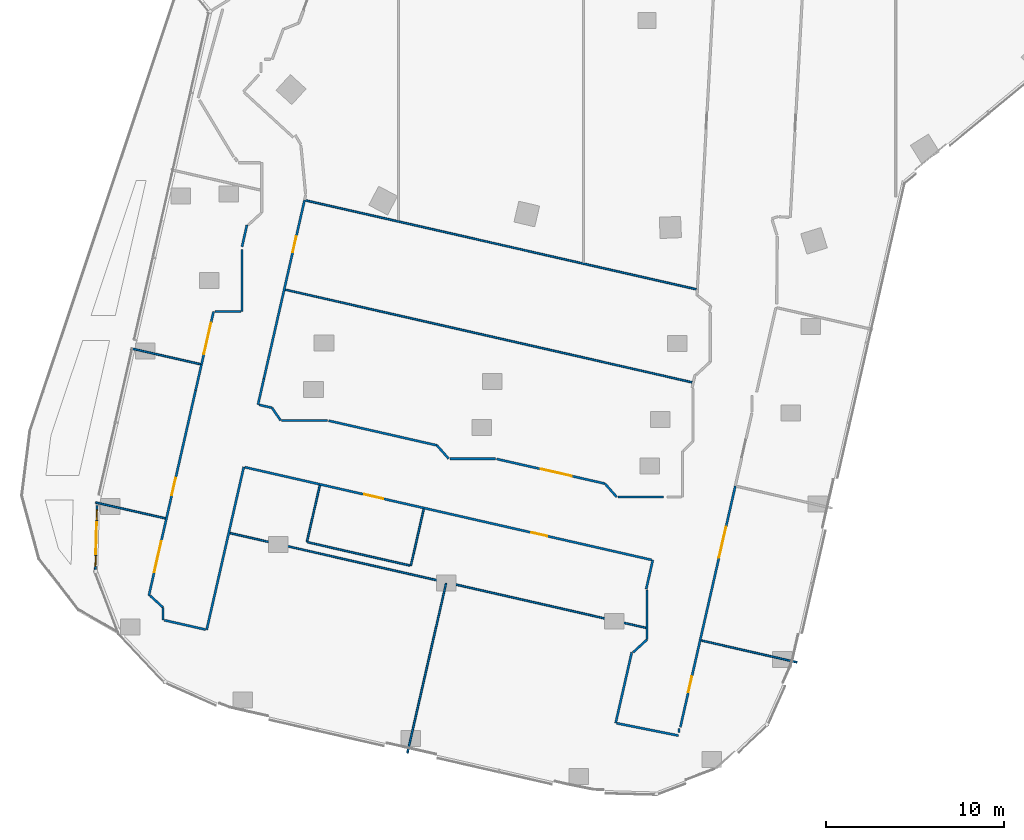
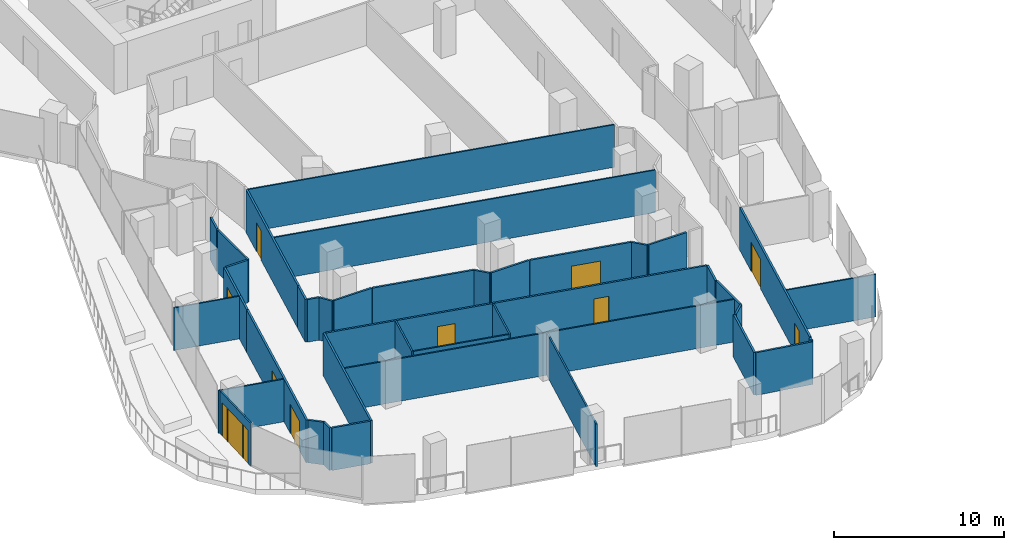
# One storey, part 17 of 28: 40 walls, 10 doors, 2 windows, 12 openings.
"""IFC4 building model written with IfcOpenShell, lengths in metres."""

from ifc_helpers import new_model, si_unit, direction, frame, frame_2d, origin, place, context, subcontext, project, spatial, rectangle, extrude, material, layer, layer_set, type_object, element, fill, save


model = new_model("IFC4")

# Units and contexts
model_context = context("Model", 3, precision=1e-05, world=origin(), true_north=direction((0.0, 1.0)))
body_context = subcontext(model_context, "Body", "Model", "MODEL_VIEW")
ifc_project = project(units=[si_unit("LENGTHUNIT", "METRE"), si_unit("AREAUNIT", "SQUARE_METRE"), si_unit("VOLUMEUNIT", "CUBIC_METRE"), si_unit("PLANEANGLEUNIT", "RADIAN"), si_unit("MASSUNIT", "GRAM", prefix="KILO")], contexts=[model_context])

# Site, building, storey
site_placement = place(None, origin())
site = spatial("IfcSite", under=ifc_project, at=site_placement, CompositionType="ELEMENT")
building_placement = place(site_placement, origin())
building = spatial("IfcBuilding", under=site, at=building_placement, Name="Orlundy Tower", CompositionType="ELEMENT")
storey_placement = place(building_placement, frame((0.0, 0.0, 167.10009765625)))
storey = spatial("IfcBuildingStorey", under=building, at=storey_placement, Name="L43", CompositionType="ELEMENT", Elevation=167.10009765625)

# Walls
ifc_material_1 = material(Name="Gypsum board partition")
ifc_layer_1 = layer(ifc_material_1, 0.10009765625)
ifc_layer_set_1 = layer_set([ifc_layer_1], Name="Floor partition 100")
wall_type_1 = type_object("IfcWallType", Name="Floor partition 100", PredefinedType="PARTITIONING", material=ifc_layer_set_1)
wall_1_placement = place(storey_placement, frame((-31.049072265625, -45.131103515625, 0.0), z_axis=(0.0, 0.0, 1.0), x_axis=(0.975034558325, -0.222053169469, 0.0)))
element("IfcWall", 1, at=wall_1_placement, inside=storey, type_object=wall_type_1, Name="wall-int-L43-012", PredefinedType="PARTITIONING", context=body_context, shape_type="SweptSolid", body=[
    extrude(rectangle(XDim=4.029541015625, YDim=0.10009765625, at=frame_2d((2.0146484375, 0.0))), origin(), (0.0, 0.0, 1.0), 3.059814453125),
])
wall_2_placement = place(storey_placement, frame((-23.487060546875, -46.85400390625, 0.0), z_axis=(0.0, 0.0, 1.0), x_axis=(0.975033161008, -0.222059304997, 0.0)))
element("IfcWall", 2, at=wall_2_placement, inside=storey, type_object=wall_type_1, Name="wall-int-L43-013", PredefinedType="PARTITIONING", context=body_context, shape_type="SweptSolid", body=[
    extrude(rectangle(XDim=24.00732421875, YDim=0.10009765625, at=frame_2d((12.003662109375, 0.0))), origin(), (0.0, 0.0, 1.0), 3.059814453125),
])
wall_3_placement = place(storey_placement, frame((3.0458984375, -52.89794921875, 0.0), z_axis=(0.0, 0.0, 1.0), x_axis=(0.975003485187, -0.222189567426, 0.0)))
element("IfcWall", 3, at=wall_3_placement, inside=storey, type_object=wall_type_1, Name="wall-int-L43-014", PredefinedType="PARTITIONING", context=body_context, shape_type="SweptSolid", body=[
    extrude(rectangle(XDim=5.53125, YDim=0.10009765625, at=frame_2d((2.765625, 0.0))), origin(), (0.0, 0.0, 1.0), 3.059814453125),
])
wall_4_placement = place(storey_placement, frame((-19.10205078125, -47.368896484375, 0.0), z_axis=(0.0, 0.0, 1.0), x_axis=(0.974994450255, -0.222229210436, 0.0)))
element("IfcWall", 4, at=wall_4_placement, inside=storey, type_object=wall_type_1, Name="wall-int-L43-015", PredefinedType="PARTITIONING", context=body_context, shape_type="SweptSolid", body=[
    extrude(rectangle(XDim=5.8994140625, YDim=0.10009765625, at=frame_2d((2.94970703125, 0.0))), origin(), (0.0, 0.0, 1.0), 3.059814453125),
])
wall_5_placement = place(storey_placement, frame((-29.072998046875, -36.452880859375, 0.0), z_axis=(0.0, 0.0, 1.0), x_axis=(0.975033390533, -0.222058297179, 0.0)))
element("IfcWall", 5, at=wall_5_placement, inside=storey, type_object=wall_type_1, Name="wall-int-L43-020", PredefinedType="PARTITIONING", context=body_context, shape_type="SweptSolid", body=[
    extrude(rectangle(XDim=4.030517578125, YDim=0.10009765625, at=frame_2d((2.01513671875, 0.0))), origin(), (0.0, 0.0, 1.0), 3.059814453125),
])
wall_6_placement = place(storey_placement, frame((-20.365966796875, -33.152099609375, 0.0), z_axis=(0.0, 0.0, 1.0), x_axis=(0.975030849226, -0.222069455479, 0.0)))
element("IfcWall", 6, at=wall_6_placement, inside=storey, type_object=wall_type_1, Name="wall-int-L43-022", PredefinedType="PARTITIONING", context=body_context, shape_type="SweptSolid", body=[
    extrude(rectangle(XDim=23.4873046875, YDim=0.10009765625, at=frame_2d((11.74365234375, 0.0))), origin(), (0.0, 0.0, 1.0), 3.059814453125),
])
wall_7_placement = place(storey_placement, frame((-19.220947265625, -28.126953125, 0.0), z_axis=(0.0, 0.0, 1.0), x_axis=(0.975047400712, -0.22199677107, 0.0)))
element("IfcWall", 7, at=wall_7_placement, inside=storey, type_object=wall_type_1, Name="wall-int-L43-024", PredefinedType="PARTITIONING", context=body_context, shape_type="SweptSolid", body=[
    extrude(rectangle(XDim=22.5546875, YDim=0.10009765625, at=frame_2d((11.27734375, 0.0))), origin(), (0.0, 0.0, 1.0), 3.059814453125),
])
wall_8_placement = place(storey_placement, frame((-13.492919921875, -59.23291015625, 0.0), z_axis=(0.0, 0.0, 1.0), x_axis=(0.222147617684, 0.975013043993, 0.0)))
element("IfcWall", 8, at=wall_8_placement, inside=storey, type_object=wall_type_1, Name="wall-int-L43-066", PredefinedType="PARTITIONING", context=body_context, shape_type="SweptSolid", body=[
    extrude(rectangle(XDim=9.7998046875, YDim=0.10009765625, at=frame_2d((4.89990234375, 0.0))), origin(), (0.0, 0.0, 1.0), 3.059814453125),
])
wall_9_placement = place(storey_placement, frame((-13.300048828125, -48.69091796875, 0.0), z_axis=(0.0, 0.0, 1.0), x_axis=(0.222066455623, 0.975031532458, 0.0)))
element("IfcWall", 9, at=wall_9_placement, inside=storey, type_object=wall_type_1, Name="wall-int-L43-067", PredefinedType="PARTITIONING", context=body_context, shape_type="SweptSolid", body=[
    extrude(rectangle(XDim=3.26953125, YDim=0.10009765625, at=frame_2d((1.634765625, 0.0))), origin(), (0.0, 0.0, 1.0), 3.059814453125),
])
wall_10_placement = place(storey_placement, frame((-19.15087890625, -47.35791015625, 0.0), z_axis=(0.0, 0.0, 1.0), x_axis=(0.222060136704, 0.97503297159, 0.0)))
element("IfcWall", 10, at=wall_10_placement, inside=storey, type_object=wall_type_1, Name="wall-int-L43-068", PredefinedType="PARTITIONING", context=body_context, shape_type="SweptSolid", body=[
    extrude(rectangle(XDim=3.2685546875, YDim=0.10009765625, at=frame_2d((1.63427734375, 0.0))), origin(), (0.0, 0.0, 1.0), 3.059814453125),
])
ifc_material_2 = material(Name="Gypsum board partition, double layer")
ifc_layer_2 = layer(ifc_material_2, 0.125)
ifc_layer_set_2 = layer_set([ifc_layer_2], Name="Floor partition 125")
wall_type_2 = type_object("IfcWallType", Name="Floor partition 125", PredefinedType="PARTITIONING", material=ifc_layer_set_2)
wall_11_placement = place(storey_placement, frame((-27.173095703125, -51.758056640625, 0.0), z_axis=(0.0, 0.0, 1.0), x_axis=(0.975083442677, -0.221838409246, 0.0)))
element("IfcWall", 11, at=wall_11_placement, inside=storey, type_object=wall_type_2, Name="wall-int-L43-010", PredefinedType="PARTITIONING", context=body_context, shape_type="SweptSolid", body=[
    extrude(rectangle(XDim=2.37939453125, YDim=0.125, at=frame_2d((1.189697265625, 0.0))), origin(), (0.0, 0.0, 1.0), 3.059814453125),
])
wall_12_placement = place(storey_placement, frame((-1.708984375, -57.556884765625, 0.0), z_axis=(0.0, 0.0, 1.0), x_axis=(0.98058598093, -0.196089607075, 0.0)))
element("IfcWall", 12, at=wall_12_placement, inside=storey, type_object=wall_type_2, Name="wall-int-L43-011", PredefinedType="PARTITIONING", context=body_context, shape_type="SweptSolid", body=[
    extrude(rectangle(XDim=3.53955078125, YDim=0.125, at=frame_2d((1.769775390625, 0.0))), origin(), (0.0, 0.0, 1.0), 3.059814453125),
])

# Wall, openings, doors
wall_13_placement = place(storey_placement, frame((0.2548828125, -48.363037109375, 0.0), z_axis=(0.0, 0.0, 1.0), x_axis=(-0.975011387461, 0.222154888135, 0.0)))
wall_13 = element("IfcWall", 13, at=wall_13_placement, inside=storey, type_object=wall_type_2, Name="wall-int-L43-016", PredefinedType="PARTITIONING", context=body_context, shape_type="SweptSolid", body=[
    extrude(rectangle(XDim=23.48388671875, YDim=0.125, at=frame_2d((11.741943359375, 0.0))), origin(), (0.0, 0.0, 1.0), 3.059814453125),
])
opening_1_placement = place(wall_13_placement, frame((6.035888671875, 0.0, 0.0)))
opening_1 = element("IfcOpeningElement", 14, at=opening_1_placement, cuts=wall_13, Name="Opening 34104", PredefinedType="OPENING", context=body_context, shape_type="SweptSolid", body=[
    extrude(rectangle(XDim=0.89990234375, YDim=2.10009765625, at=frame_2d((0.449951171875, 1.050048828125))), frame((0.0, 0.072509765625, 0.0), z_axis=(0.0, -1.0, 0.0), x_axis=(1.0, 0.0, 0.0)), (0.0, 0.0, 1.0), 0.14501953125),
])
opening_2_placement = place(wall_13_placement, frame((15.494384765625, 0.0, 0.0)))
opening_2 = element("IfcOpeningElement", 15, at=opening_2_placement, cuts=wall_13, Name="Opening 34123", PredefinedType="OPENING", context=body_context, shape_type="SweptSolid", body=[
    extrude(rectangle(XDim=1.10009765625, YDim=2.10009765625, at=frame_2d((0.550048828125, 1.050048828125))), frame((0.0, 0.072509765625, 0.0), z_axis=(0.0, -1.0, 0.0), x_axis=(1.0, 0.0, 0.0)), (0.0, 0.0, 1.0), 0.14501953125),
])
ifc_material_3 = material(Name="Timber door leaf", Category="wood")
door_type_1 = type_object("IfcDoorType", Name="Floor door single 900 FD30S", OperationType="NOTDEFINED", PredefinedType="DOOR", material=ifc_material_3)
door_1_placement = place(opening_1_placement, origin())
door_1 = element("IfcDoor", 16, at=door_1_placement, inside=storey, type_object=door_type_1, Name="Door 34104", OperationType="SINGLE_SWING_LEFT", OverallHeight=2.10009765625, OverallWidth=0.89990234375, PredefinedType="DOOR", context=body_context, shape_type="SweptSolid", body=[
    extrude(rectangle(XDim=0.89990234375, YDim=2.10009765625, at=frame_2d((0.449951171875, 1.050048828125))), frame((0.0, 0.02490234375, 0.0), z_axis=(0.0, -1.0, 0.0), x_axis=(1.0, 0.0, 0.0)), (0.0, 0.0, 1.0), 0.050048828125),
])
fill(opening_1, door_1)
ifc_material_4 = material(Name="Timber door leaf", Category="wood")
door_type_2 = type_object("IfcDoorType", Name="Floor door xwide 1100 FD30S", OperationType="NOTDEFINED", PredefinedType="DOOR", material=ifc_material_4)
door_2_placement = place(opening_2_placement, origin())
door_2 = element("IfcDoor", 17, at=door_2_placement, inside=storey, type_object=door_type_2, Name="Door 34123", OperationType="SINGLE_SWING_RIGHT", OverallHeight=2.10009765625, OverallWidth=1.10009765625, PredefinedType="DOOR", context=body_context, shape_type="SweptSolid", body=[
    extrude(rectangle(XDim=1.10009765625, YDim=2.10009765625, at=frame_2d((0.550048828125, 1.050048828125))), frame((0.0, 0.02490234375, 0.0), z_axis=(0.0, -1.0, 0.0), x_axis=(1.0, 0.0, 0.0)), (0.0, 0.0, 1.0), 0.050048828125),
])
fill(opening_2, door_2)

# Walls
wall_14_placement = place(storey_placement, frame((-21.842041015625, -39.635009765625, 0.0), z_axis=(0.0, 0.0, 1.0), x_axis=(0.975061856112, -0.221933270953, 0.0)))
element("IfcWall", 18, at=wall_14_placement, inside=storey, type_object=wall_type_2, Name="wall-int-L43-017", PredefinedType="PARTITIONING", context=body_context, shape_type="SweptSolid", body=[
    extrude(rectangle(XDim=0.74365234375, YDim=0.125, at=frame_2d((0.371826171875, 0.0))), origin(), (0.0, 0.0, 1.0), 3.059814453125),
])
wall_15_placement = place(storey_placement, frame((-17.924072265625, -40.528076171875, 0.0), z_axis=(0.0, 0.0, 1.0), x_axis=(0.975041788435, -0.2220214197, 0.0)))
element("IfcWall", 19, at=wall_15_placement, inside=storey, type_object=wall_type_2, Name="wall-int-L43-018", PredefinedType="PARTITIONING", context=body_context, shape_type="SweptSolid", body=[
    extrude(rectangle(XDim=6.2470703125, YDim=0.125, at=frame_2d((3.12353515625, 0.0))), origin(), (0.0, 0.0, 1.0), 3.059814453125),
])

# Wall, opening, door
wall_16_placement = place(storey_placement, frame((-8.468994140625, -42.681884765625, 0.0), z_axis=(0.0, 0.0, 1.0), x_axis=(0.975041034041, -0.222024732714, 0.0)))
wall_16 = element("IfcWall", 20, at=wall_16_placement, inside=storey, type_object=wall_type_2, Name="wall-int-L43-019", PredefinedType="PARTITIONING", context=body_context, shape_type="SweptSolid", body=[
    extrude(rectangle(XDim=6.248046875, YDim=0.125, at=frame_2d((3.1240234375, 0.0))), origin(), (0.0, 0.0, 1.0), 3.059814453125),
])
opening_3_placement = place(wall_16_placement, frame((2.53759765625, 0.0, 0.0)))
opening_3 = element("IfcOpeningElement", 21, at=opening_3_placement, cuts=wall_16, Name="Opening 34103", PredefinedType="OPENING", context=body_context, shape_type="SweptSolid", body=[
    extrude(rectangle(XDim=1.800048828125, YDim=2.10009765625, at=frame_2d((0.89990234375, 1.050048828125))), frame((0.0, 0.072509765625, 0.0), z_axis=(0.0, -1.0, 0.0), x_axis=(1.0, 0.0, 0.0)), (0.0, 0.0, 1.0), 0.14501953125),
])
ifc_material_5 = material(Name="Timber door leaf", Category="wood")
door_type_3 = type_object("IfcDoorType", Name="Floor door double 1800 FD30S", OperationType="NOTDEFINED", PredefinedType="DOOR", material=ifc_material_5)
door_3_placement = place(opening_3_placement, origin())
door_3 = element("IfcDoor", 22, at=door_3_placement, inside=storey, type_object=door_type_3, Name="Door 34103", OperationType="DOUBLE_DOOR_SINGLE_SWING", OverallHeight=2.10009765625, OverallWidth=1.800048828125, PredefinedType="DOOR", context=body_context, shape_type="SweptSolid", body=[
    extrude(rectangle(XDim=1.800048828125, YDim=2.10009765625, at=frame_2d((0.89990234375, 1.050048828125))), frame((0.0, 0.02490234375, 0.0), z_axis=(0.0, -1.0, 0.0), x_axis=(1.0, 0.0, 0.0)), (0.0, 0.0, 1.0), 0.050048828125),
])
fill(opening_3, door_3)

# Walls
wall_17_placement = place(storey_placement, frame((-0.784912109375, -53.56494140625, 0.0), z_axis=(0.0, 0.0, 1.0), x_axis=(0.736206501859, 0.676756962742, 0.0)))
element("IfcWall", 23, at=wall_17_placement, inside=storey, type_object=wall_type_2, Name="wall-int-L43-028", PredefinedType="PARTITIONING", context=body_context, shape_type="SweptSolid", body=[
    extrude(rectangle(XDim=1.0595703125, YDim=0.125, at=frame_2d((0.52978515625, 0.0))), origin(), (0.0, 0.0, 1.0), 3.059814453125),
])
wall_18_placement = place(storey_placement, frame((-27.969970703125, -50.382080078125, 0.0), z_axis=(0.0, 0.0, 1.0), x_axis=(0.738637101111, -0.67410328056, 0.0)))
element("IfcWall", 24, at=wall_18_placement, inside=storey, type_object=wall_type_2, Name="wall-int-L43-029", PredefinedType="PARTITIONING", context=body_context, shape_type="SweptSolid", body=[
    extrude(rectangle(XDim=0.97607421875, YDim=0.125, at=frame_2d((0.488037109375, 0.0))), origin(), (0.0, 0.0, 1.0), 3.059814453125),
])
wall_19_placement = place(storey_placement, frame((-1.65087890625, -44.822021484375, 0.0), z_axis=(0.0, 0.0, 1.0), x_axis=(1.0, 0.0, 0.0)))
element("IfcWall", 25, at=wall_19_placement, inside=storey, type_object=wall_type_2, Name="wall-int-L43-030", PredefinedType="PARTITIONING", context=body_context, shape_type="SweptSolid", body=[
    extrude(rectangle(XDim=2.579833984375, YDim=0.125, at=frame_2d((1.2900390625, 0.0))), origin(), (0.0, 0.0, 1.0), 3.059814453125),
])
wall_20_placement = place(storey_placement, frame((-11.10693359375, -42.6669921875, 0.0), z_axis=(0.0, 0.0, 1.0), x_axis=(1.0, 0.0, 0.0)))
element("IfcWall", 26, at=wall_20_placement, inside=storey, type_object=wall_type_2, Name="wall-int-L43-032", PredefinedType="PARTITIONING", context=body_context, shape_type="SweptSolid", body=[
    extrude(rectangle(XDim=2.575927734375, YDim=0.125, at=frame_2d((1.2880859375, 0.0))), origin(), (0.0, 0.0, 1.0), 3.059814453125),
])
wall_21_placement = place(storey_placement, frame((-20.56689453125, -40.512939453125, 0.0), z_axis=(0.0, 0.0, 1.0), x_axis=(1.0, 0.0, 0.0)))
element("IfcWall", 27, at=wall_21_placement, inside=storey, type_object=wall_type_2, Name="wall-int-L43-034", PredefinedType="PARTITIONING", context=body_context, shape_type="SweptSolid", body=[
    extrude(rectangle(XDim=2.581787109375, YDim=0.125, at=frame_2d((1.291015625, 0.0))), origin(), (0.0, 0.0, 1.0), 3.059814453125),
])
wall_22_placement = place(storey_placement, frame((-24.324951171875, -34.381103515625, 0.0), z_axis=(0.0, 0.0, 1.0), x_axis=(1.0, 0.0, 0.0)))
element("IfcWall", 28, at=wall_22_placement, inside=storey, type_object=wall_type_2, Name="wall-int-L43-036", PredefinedType="PARTITIONING", context=body_context, shape_type="SweptSolid", body=[
    extrude(rectangle(XDim=1.4560546875, YDim=0.125, at=frame_2d((0.72802734375, 0.0))), origin(), (0.0, 0.0, 1.0), 3.059814453125),
])

# Wall, openings, doors
wall_23_placement = place(storey_placement, frame((4.9619140625, -44.2109375, 0.0), z_axis=(0.0, 0.0, 1.0), x_axis=(-0.222229868657, -0.974994300228, 0.0)))
wall_23 = element("IfcWall", 29, at=wall_23_placement, inside=storey, type_object=wall_type_2, Name="wall-int-L43-061", PredefinedType="PARTITIONING", context=body_context, shape_type="SweptSolid", body=[
    extrude(rectangle(XDim=13.918212890625, YDim=0.125, at=frame_2d((6.958984375, 0.0))), origin(), (0.0, 0.0, 1.0), 3.059814453125),
])
opening_4_placement = place(wall_23_placement, frame((2.34130859375, 0.0, 0.0)))
opening_4 = element("IfcOpeningElement", 30, at=opening_4_placement, cuts=wall_23, Name="Opening 34101", PredefinedType="OPENING", context=body_context, shape_type="SweptSolid", body=[
    extrude(rectangle(XDim=1.800048828125, YDim=2.10009765625, at=frame_2d((0.89990234375, 1.050048828125))), frame((0.0, 0.072509765625, 0.0), z_axis=(0.0, -1.0, 0.0), x_axis=(1.0, 0.0, 0.0)), (0.0, 0.0, 1.0), 0.14501953125),
])
opening_5_placement = place(wall_23_placement, frame((10.9951171875, 0.0, 0.0)))
opening_5 = element("IfcOpeningElement", 31, at=opening_5_placement, cuts=wall_23, Name="Opening 34105", PredefinedType="OPENING", context=body_context, shape_type="SweptSolid", body=[
    extrude(rectangle(XDim=0.89990234375, YDim=2.10009765625, at=frame_2d((0.449951171875, 1.050048828125))), frame((0.0, 0.072509765625, 0.0), z_axis=(0.0, -1.0, 0.0), x_axis=(1.0, 0.0, 0.0)), (0.0, 0.0, 1.0), 0.14501953125),
])
door_4_placement = place(opening_4_placement, origin())
door_4 = element("IfcDoor", 32, at=door_4_placement, inside=storey, type_object=door_type_3, Name="Door 34101", OperationType="DOUBLE_DOOR_SINGLE_SWING", OverallHeight=2.10009765625, OverallWidth=1.800048828125, PredefinedType="DOOR", context=body_context, shape_type="SweptSolid", body=[
    extrude(rectangle(XDim=1.800048828125, YDim=2.10009765625, at=frame_2d((0.89990234375, 1.050048828125))), frame((0.0, 0.02490234375, 0.0), z_axis=(0.0, -1.0, 0.0), x_axis=(1.0, 0.0, 0.0)), (0.0, 0.0, 1.0), 0.050048828125),
])
fill(opening_4, door_4)
door_5_placement = place(opening_5_placement, origin())
door_5 = element("IfcDoor", 33, at=door_5_placement, inside=storey, type_object=door_type_1, Name="Door 34105", OperationType="SINGLE_SWING_RIGHT", OverallHeight=2.10009765625, OverallWidth=0.89990234375, PredefinedType="DOOR", context=body_context, shape_type="SweptSolid", body=[
    extrude(rectangle(XDim=0.89990234375, YDim=2.10009765625, at=frame_2d((0.449951171875, 1.050048828125))), frame((0.0, 0.02490234375, 0.0), z_axis=(0.0, -1.0, 0.0), x_axis=(1.0, 0.0, 0.0)), (0.0, 0.0, 1.0), 0.050048828125),
])
fill(opening_5, door_5)

# Walls
wall_24_placement = place(storey_placement, frame((-1.77001953125, -57.5439453125, 0.0), z_axis=(0.0, 0.0, 1.0), x_axis=(0.22206594154, 0.975031649542, 0.0)))
element("IfcWall", 34, at=wall_24_placement, inside=storey, type_object=wall_type_2, Name="wall-int-L43-063", PredefinedType="PARTITIONING", context=body_context, shape_type="SweptSolid", body=[
    extrude(rectangle(XDim=4.079833984375, YDim=0.125, at=frame_2d((2.0400390625, 0.0))), origin(), (0.0, 0.0, 1.0), 3.059814453125),
])
wall_25_placement = place(storey_placement, frame((-0.052001953125, -50.0048828125, 0.0), z_axis=(0.0, 0.0, 1.0), x_axis=(0.22157056649, 0.975144340119, 0.0)))
element("IfcWall", 35, at=wall_25_placement, inside=storey, type_object=wall_type_2, Name="wall-int-L43-065", PredefinedType="PARTITIONING", context=body_context, shape_type="SweptSolid", body=[
    extrude(rectangle(XDim=1.67041015625, YDim=0.125, at=frame_2d((0.835205078125, 0.0))), origin(), (0.0, 0.0, 1.0), 3.059814453125),
])
wall_26_placement = place(storey_placement, frame((-24.7919921875, -52.300048828125, 0.0), z_axis=(0.0, 0.0, 1.0), x_axis=(0.222197946193, 0.975001575746, 0.0)))
element("IfcWall", 36, at=wall_26_placement, inside=storey, type_object=wall_type_2, Name="wall-int-L43-069", PredefinedType="PARTITIONING", context=body_context, shape_type="SweptSolid", body=[
    extrude(rectangle(XDim=9.402099609375, YDim=0.125, at=frame_2d((4.701171875, 0.0))), origin(), (0.0, 0.0, 1.0), 3.059814453125),
])

# Wall, opening, door
wall_27_placement = place(storey_placement, frame((-19.282958984375, -28.114990234375, 0.0), z_axis=(0.0, 0.0, 1.0), x_axis=(-0.222050161604, -0.975035243328, 0.0)))
wall_27 = element("IfcWall", 37, at=wall_27_placement, inside=storey, type_object=wall_type_2, Name="wall-int-L43-070", PredefinedType="PARTITIONING", context=body_context, shape_type="SweptSolid", body=[
    extrude(rectangle(XDim=10.304443359375, YDim=0.125, at=frame_2d((5.15234375, 0.0))), origin(), (0.0, 0.0, 1.0), 3.059814453125),
])
opening_6_placement = place(wall_27_placement, frame((2.09814453125, 0.0, 0.0)))
opening_6 = element("IfcOpeningElement", 38, at=opening_6_placement, cuts=wall_27, Name="Opening 34102", PredefinedType="OPENING", context=body_context, shape_type="SweptSolid", body=[
    extrude(rectangle(XDim=0.89990234375, YDim=2.10009765625, at=frame_2d((0.449951171875, 1.050048828125))), frame((0.0, 0.072509765625, 0.0), z_axis=(0.0, -1.0, 0.0), x_axis=(1.0, 0.0, 0.0)), (0.0, 0.0, 1.0), 0.14501953125),
])
door_6_placement = place(opening_6_placement, origin())
door_6 = element("IfcDoor", 39, at=door_6_placement, inside=storey, type_object=door_type_1, Name="Door 34102", OperationType="SINGLE_SWING_LEFT", OverallHeight=2.10009765625, OverallWidth=0.89990234375, PredefinedType="DOOR", context=body_context, shape_type="SweptSolid", body=[
    extrude(rectangle(XDim=0.89990234375, YDim=2.10009765625, at=frame_2d((0.449951171875, 1.050048828125))), frame((0.0, 0.02490234375, 0.0), z_axis=(0.0, -1.0, 0.0), x_axis=(1.0, 0.0, 0.0)), (0.0, 0.0, 1.0), 0.050048828125),
])
fill(opening_6, door_6)

# Walls
wall_28_placement = place(storey_placement, frame((-21.903076171875, -39.62109375, 0.0), z_axis=(0.0, 0.0, 1.0), x_axis=(0.221903185503, 0.975068703356, 0.0)))
element("IfcWall", 40, at=wall_28_placement, inside=storey, type_object=wall_type_2, Name="wall-int-L43-071", PredefinedType="PARTITIONING", context=body_context, shape_type="SweptSolid", body=[
    extrude(rectangle(XDim=1.496337890625, YDim=0.125, at=frame_2d((0.748046875, 0.0))), origin(), (0.0, 0.0, 1.0), 3.059814453125),
])
wall_29_placement = place(storey_placement, frame((-22.802978515625, -30.737060546875, 0.0), z_axis=(0.0, 0.0, 1.0), x_axis=(0.220947936247, 0.975285604051, 0.0)))
element("IfcWall", 41, at=wall_29_placement, inside=storey, type_object=wall_type_2, Name="wall-int-L43-072", PredefinedType="PARTITIONING", context=body_context, shape_type="SweptSolid", body=[
    extrude(rectangle(XDim=1.254150390625, YDim=0.125, at=frame_2d((0.626953125, 0.0))), origin(), (0.0, 0.0, 1.0), 3.059814453125),
])

# Wall, openings, doors
wall_30_placement = place(storey_placement, frame((-28.048095703125, -50.382080078125, 0.0), z_axis=(0.0, 0.0, 1.0), x_axis=(0.222119568242, 0.975019434372, 0.0)))
wall_30 = element("IfcWall", 42, at=wall_30_placement, inside=storey, type_object=wall_type_2, Name="wall-int-L43-073", PredefinedType="PARTITIONING", context=body_context, shape_type="SweptSolid", body=[
    extrude(rectangle(XDim=11.854248046875, YDim=0.125, at=frame_2d((5.92724609375, 0.0))), origin(), (0.0, 0.0, 1.0), 3.059814453125),
])
opening_7_placement = place(wall_30_placement, frame((1.35009765625, 0.0, 0.0)))
opening_7 = element("IfcOpeningElement", 43, at=opening_7_placement, cuts=wall_30, Name="Opening 34106", PredefinedType="OPENING", context=body_context, shape_type="SweptSolid", body=[
    extrude(rectangle(XDim=1.800048828125, YDim=2.10009765625, at=frame_2d((0.89990234375, 1.050048828125))), frame((0.0, 0.072509765625, 0.0), z_axis=(0.0, -1.0, 0.0), x_axis=(1.0, 0.0, 0.0)), (0.0, 0.0, 1.0), 0.14501953125),
])
opening_8_placement = place(wall_30_placement, frame((5.80322265625, 0.0, 0.0)))
opening_8 = element("IfcOpeningElement", 44, at=opening_8_placement, cuts=wall_30, Name="Opening 34108", PredefinedType="OPENING", context=body_context, shape_type="SweptSolid", body=[
    extrude(rectangle(XDim=1.0, YDim=2.10009765625, at=frame_2d((0.5, 1.050048828125))), frame((0.0, 0.072509765625, 0.0), z_axis=(0.0, -1.0, 0.0), x_axis=(1.0, 0.0, 0.0)), (0.0, 0.0, 1.0), 0.14501953125),
])
door_7_placement = place(opening_7_placement, origin())
door_7 = element("IfcDoor", 45, at=door_7_placement, inside=storey, type_object=door_type_3, Name="Door 34106", OperationType="DOUBLE_DOOR_SINGLE_SWING", OverallHeight=2.10009765625, OverallWidth=1.800048828125, PredefinedType="DOOR", context=body_context, shape_type="SweptSolid", body=[
    extrude(rectangle(XDim=1.800048828125, YDim=2.10009765625, at=frame_2d((0.89990234375, 1.050048828125))), frame((0.0, 0.02490234375, 0.0), z_axis=(0.0, -1.0, 0.0), x_axis=(1.0, 0.0, 0.0)), (0.0, 0.0, 1.0), 0.050048828125),
])
fill(opening_7, door_7)
ifc_material_6 = material(Name="Timber door leaf", Category="wood")
door_type_4 = type_object("IfcDoorType", Name="Floor door wide 1000 FD30S", OperationType="NOTDEFINED", PredefinedType="DOOR", material=ifc_material_6)
door_8_placement = place(opening_8_placement, origin())
door_8 = element("IfcDoor", 46, at=door_8_placement, inside=storey, type_object=door_type_4, Name="Door 34108", OperationType="SINGLE_SWING_RIGHT", OverallHeight=2.10009765625, OverallWidth=1.0, PredefinedType="DOOR", context=body_context, shape_type="SweptSolid", body=[
    extrude(rectangle(XDim=1.0, YDim=2.10009765625, at=frame_2d((0.5, 1.050048828125))), frame((0.0, 0.02490234375, 0.0), z_axis=(0.0, -1.0, 0.0), x_axis=(1.0, 0.0, 0.0)), (0.0, 0.0, 1.0), 0.050048828125),
])
fill(opening_8, door_8)

# Wall, opening, door
wall_31_placement = place(storey_placement, frame((-25.08203125, -37.362060546875, 0.0), z_axis=(0.0, 0.0, 1.0), x_axis=(0.222145861705, 0.975013444075, 0.0)))
wall_31 = element("IfcWall", 47, at=wall_31_placement, inside=storey, type_object=wall_type_2, Name="wall-int-L43-074", PredefinedType="PARTITIONING", context=body_context, shape_type="SweptSolid", body=[
    extrude(rectangle(XDim=3.056396484375, YDim=0.125, at=frame_2d((1.5283203125, 0.0))), origin(), (0.0, 0.0, 1.0), 3.059814453125),
])
opening_9_placement = place(wall_31_placement, frame((0.60009765625, 0.0, 0.0)))
opening_9 = element("IfcOpeningElement", 48, at=opening_9_placement, cuts=wall_31, Name="Opening 34107", PredefinedType="OPENING", context=body_context, shape_type="SweptSolid", body=[
    extrude(rectangle(XDim=1.800048828125, YDim=2.10009765625, at=frame_2d((0.89990234375, 1.050048828125))), frame((0.0, 0.072509765625, 0.0), z_axis=(0.0, -1.0, 0.0), x_axis=(1.0, 0.0, 0.0)), (0.0, 0.0, 1.0), 0.14501953125),
])
door_9_placement = place(opening_9_placement, origin())
door_9 = element("IfcDoor", 49, at=door_9_placement, inside=storey, type_object=door_type_3, Name="Door 34107", OperationType="DOUBLE_DOOR_SINGLE_SWING", OverallHeight=2.10009765625, OverallWidth=1.800048828125, PredefinedType="DOOR", context=body_context, shape_type="SweptSolid", body=[
    extrude(rectangle(XDim=1.800048828125, YDim=2.10009765625, at=frame_2d((0.89990234375, 1.050048828125))), frame((0.0, 0.02490234375, 0.0), z_axis=(0.0, -1.0, 0.0), x_axis=(1.0, 0.0, 0.0)), (0.0, 0.0, 1.0), 0.050048828125),
])
fill(opening_9, door_9)

# Walls
wall_32_placement = place(storey_placement, frame((-25.4140625, -38.822021484375, 0.0), z_axis=(0.0, 0.0, 1.0), x_axis=(0.221762057163, 0.975100810174, 0.0)))
element("IfcWall", 50, at=wall_32_placement, inside=storey, type_object=wall_type_2, Name="wall-int-L43-075", PredefinedType="PARTITIONING", context=body_context, shape_type="SweptSolid", body=[
    extrude(rectangle(XDim=1.497314453125, YDim=0.125, at=frame_2d((0.74853515625, 0.0))), origin(), (0.0, 0.0, 1.0), 3.059814453125),
])
wall_33_placement = place(storey_placement, frame((1.798095703125, -58.092041015625, 0.0), z_axis=(0.0, 0.0, 1.0), x_axis=(0.0, 1.0, 0.0)))
element("IfcWall", 51, at=wall_33_placement, inside=storey, type_object=wall_type_2, Name="wall-int-L43-087", PredefinedType="PARTITIONING", context=body_context, shape_type="SweptSolid", body=[
    extrude(rectangle(XDim=0.25, YDim=0.125, at=frame_2d((0.125, 0.0))), origin(), (0.0, 0.0, 1.0), 3.059814453125),
])
wall_34_placement = place(storey_placement, frame((-0.0048828125, -52.847900390625, 0.0), z_axis=(0.0, 0.0, 1.0), x_axis=(0.0, 1.0, 0.0)))
element("IfcWall", 52, at=wall_34_placement, inside=storey, type_object=wall_type_2, Name="wall-int-L43-088", PredefinedType="PARTITIONING", context=body_context, shape_type="SweptSolid", body=[
    extrude(rectangle(XDim=2.781005859375, YDim=0.125, at=frame_2d((1.390625, 0.0))), origin(), (0.0, 0.0, 1.0), 3.059814453125),
])
wall_35_placement = place(storey_placement, frame((-1.712890625, -44.822021484375, 0.0), z_axis=(0.0, 0.0, 1.0), x_axis=(-0.661460760782, 0.749979774358, 0.0)))
element("IfcWall", 53, at=wall_35_placement, inside=storey, type_object=wall_type_2, Name="wall-int-L43-090", PredefinedType="PARTITIONING", context=body_context, shape_type="SweptSolid", body=[
    extrude(rectangle(XDim=1.00390625, YDim=0.125, at=frame_2d((0.501953125, 0.0))), origin(), (0.0, 0.0, 1.0), 3.059814453125),
])
wall_36_placement = place(storey_placement, frame((-11.169921875, -42.6669921875, 0.0), z_axis=(0.0, 0.0, 1.0), x_axis=(-0.66139609203, 0.750036805395, 0.0)))
element("IfcWall", 54, at=wall_36_placement, inside=storey, type_object=wall_type_2, Name="wall-int-L43-091", PredefinedType="PARTITIONING", context=body_context, shape_type="SweptSolid", body=[
    extrude(rectangle(XDim=1.00244140625, YDim=0.125, at=frame_2d((0.501220703125, 0.0))), origin(), (0.0, 0.0, 1.0), 3.059814453125),
])
wall_37_placement = place(storey_placement, frame((-20.62890625, -40.512939453125, 0.0), z_axis=(0.0, 0.0, 1.0), x_axis=(-0.564896638824, 0.82516167352, 0.0)))
element("IfcWall", 55, at=wall_37_placement, inside=storey, type_object=wall_type_2, Name="wall-int-L43-094", PredefinedType="PARTITIONING", context=body_context, shape_type="SweptSolid", body=[
    extrude(rectangle(XDim=0.864013671875, YDim=0.125, at=frame_2d((0.43212890625, 0.0))), origin(), (0.0, 0.0, 1.0), 3.059814453125),
])
wall_38_placement = place(storey_placement, frame((-22.806884765625, -34.381103515625, 0.0), z_axis=(0.0, 0.0, 1.0), x_axis=(0.0, 1.0, 0.0)))
element("IfcWall", 56, at=wall_38_placement, inside=storey, type_object=wall_type_2, Name="wall-int-L43-098", PredefinedType="PARTITIONING", context=body_context, shape_type="SweptSolid", body=[
    extrude(rectangle(XDim=3.4990234375, YDim=0.125, at=frame_2d((1.74951171875, 0.0))), origin(), (0.0, 0.0, 1.0), 3.059814453125),
])
wall_39_placement = place(storey_placement, frame((-27.2490234375, -51.740966796875, 0.0), z_axis=(0.0, 0.0, 1.0), x_axis=(0.0, 1.0, 0.0)))
element("IfcWall", 57, at=wall_39_placement, inside=storey, type_object=wall_type_2, Name="wall-int-L43-099", PredefinedType="PARTITIONING", context=body_context, shape_type="SweptSolid", body=[
    extrude(rectangle(XDim=0.700927734375, YDim=0.125, at=frame_2d((0.3505859375, 0.0))), origin(), (0.0, 0.0, 1.0), 3.059814453125),
])

# Wall, openings, windows, door
ifc_material_7 = material(Name="Aluminium bronze and tinted glass", Category="aluminium")
ifc_layer_3 = layer(ifc_material_7, 0.10009765625)
ifc_layer_set_3 = layer_set([ifc_layer_3], Name="Glazed door screen")
wall_type_3 = type_object("IfcWallType", Name="Glazed door screen", PredefinedType="STANDARD", material=ifc_layer_set_3)
wall_40_placement = place(storey_placement, frame((-31.061767578125, -49.01806640625, 0.0), z_axis=(0.0, 0.0, 1.0), x_axis=(0.027750717401, 0.999614874681, 0.0)))
wall_40 = element("IfcWall", 58, at=wall_40_placement, inside=storey, type_object=wall_type_3, Name="Glazed door screen", PredefinedType="STANDARD", context=body_context, shape_type="SweptSolid", body=[
    extrude(rectangle(XDim=3.730224609375, YDim=0.10009765625, at=frame_2d((1.865234375, 0.0))), origin(), (0.0, 0.0, 1.0), 3.079833984375),
])
opening_10_placement = place(wall_40_placement, frame((0.986328125, 0.0, 0.0)))
opening_10 = element("IfcOpeningElement", 59, at=opening_10_placement, cuts=wall_40, Name="Opening 34941", PredefinedType="OPENING", context=body_context, shape_type="SweptSolid", body=[
    extrude(rectangle(XDim=1.800048828125, YDim=2.39990234375, at=frame_2d((0.89990234375, 1.199951171875))), frame((0.0, 0.06005859375, 0.0), z_axis=(0.0, -1.0, 0.0), x_axis=(1.0, 0.0, 0.0)), (0.0, 0.0, 1.0), 0.1201171875),
])
opening_11_placement = place(wall_40_placement, frame((0.286376953125, 0.0, 0.0)))
opening_11 = element("IfcOpeningElement", 60, at=opening_11_placement, cuts=wall_40, Name="Opening W01", PredefinedType="OPENING", context=body_context, shape_type="SweptSolid", body=[
    extrude(rectangle(XDim=0.60009765625, YDim=2.39990234375, at=frame_2d((0.300048828125, 1.199951171875))), frame((0.0, 0.06005859375, 0.0), z_axis=(0.0, -1.0, 0.0), x_axis=(1.0, 0.0, 0.0)), (0.0, 0.0, 1.0), 0.1201171875),
])
opening_12_placement = place(wall_40_placement, frame((2.886474609375, 0.0, 0.0)))
opening_12 = element("IfcOpeningElement", 61, at=opening_12_placement, cuts=wall_40, Name="Opening W01", PredefinedType="OPENING", context=body_context, shape_type="SweptSolid", body=[
    extrude(rectangle(XDim=0.60009765625, YDim=2.39990234375, at=frame_2d((0.300048828125, 1.199951171875))), frame((0.0, 0.06005859375, 0.0), z_axis=(0.0, -1.0, 0.0), x_axis=(1.0, 0.0, 0.0)), (0.0, 0.0, 1.0), 0.1201171875),
])
ifc_material_8 = material(Name="Tinted glass in bronze aluminium frame", Category="aluminium")
window_type = type_object("IfcWindowType", Name="SL1 sidelight 600x2400", PartitioningType="SINGLE_PANEL", PredefinedType="WINDOW", material=ifc_material_8)
window_1_placement = place(opening_11_placement, origin())
window_1 = element("IfcWindow", 62, at=window_1_placement, inside=storey, type_object=window_type, Name="Window W01 L43", OverallHeight=2.39990234375, OverallWidth=0.60009765625, PartitioningType="SINGLE_PANEL", PredefinedType="WINDOW", context=body_context, shape_type="SweptSolid", body=[
    extrude(rectangle(XDim=0.60009765625, YDim=2.39990234375, at=frame_2d((0.300048828125, 1.199951171875))), frame((0.0, 0.030029296875, 0.0), z_axis=(0.0, -1.0, 0.0), x_axis=(1.0, 0.0, 0.0)), (0.0, 0.0, 1.0), 0.06005859375),
])
fill(opening_11, window_1)
window_2_placement = place(opening_12_placement, origin())
window_2 = element("IfcWindow", 63, at=window_2_placement, inside=storey, type_object=window_type, Name="Window W01 L43", OverallHeight=2.39990234375, OverallWidth=0.60009765625, PartitioningType="SINGLE_PANEL", PredefinedType="WINDOW", context=body_context, shape_type="SweptSolid", body=[
    extrude(rectangle(XDim=0.60009765625, YDim=2.39990234375, at=frame_2d((0.300048828125, 1.199951171875))), frame((0.0, 0.030029296875, 0.0), z_axis=(0.0, -1.0, 0.0), x_axis=(1.0, 0.0, 0.0)), (0.0, 0.0, 1.0), 0.06005859375),
])
fill(opening_12, window_2)
ifc_material_9 = material(Name="Aluminium bronze and tinted glass", Category="aluminium")
door_type_5 = type_object("IfcDoorType", Name="TD3 terrace sliding door 1800x2400", OperationType="DOUBLE_DOOR_SLIDING", PredefinedType="DOOR", material=ifc_material_9)
door_10_placement = place(opening_10_placement, origin())
door_10 = element("IfcDoor", 64, at=door_10_placement, inside=storey, type_object=door_type_5, Name="Door 34941", OperationType="DOUBLE_DOOR_SLIDING", OverallHeight=2.39990234375, OverallWidth=1.800048828125, PredefinedType="DOOR", context=body_context, shape_type="SweptSolid", body=[
    extrude(rectangle(XDim=1.800048828125, YDim=2.39990234375, at=frame_2d((0.89990234375, 1.199951171875))), frame((0.0, 0.02490234375, 0.0), z_axis=(0.0, -1.0, 0.0), x_axis=(1.0, 0.0, 0.0)), (0.0, 0.0, 1.0), 0.050048828125),
])
fill(opening_10, door_10)

save(model, "model.ifc")
